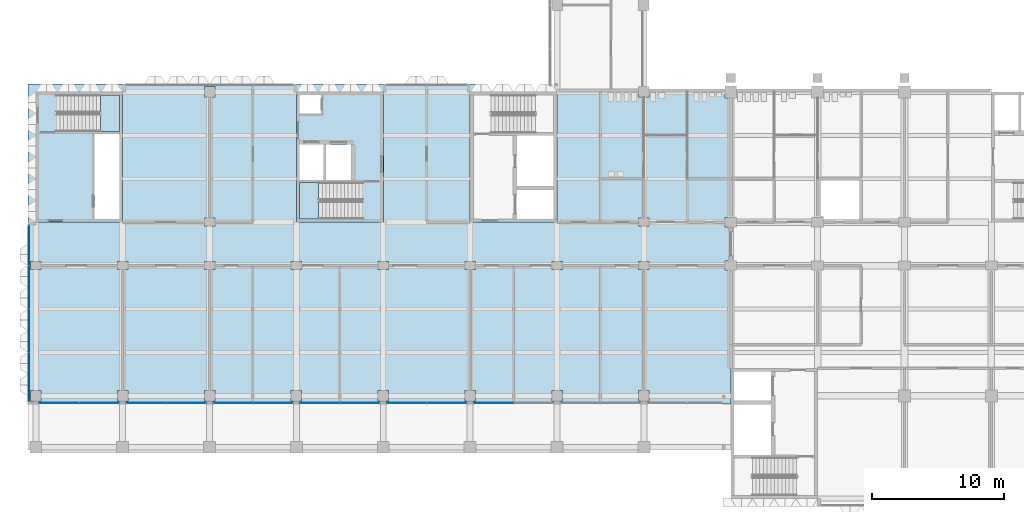
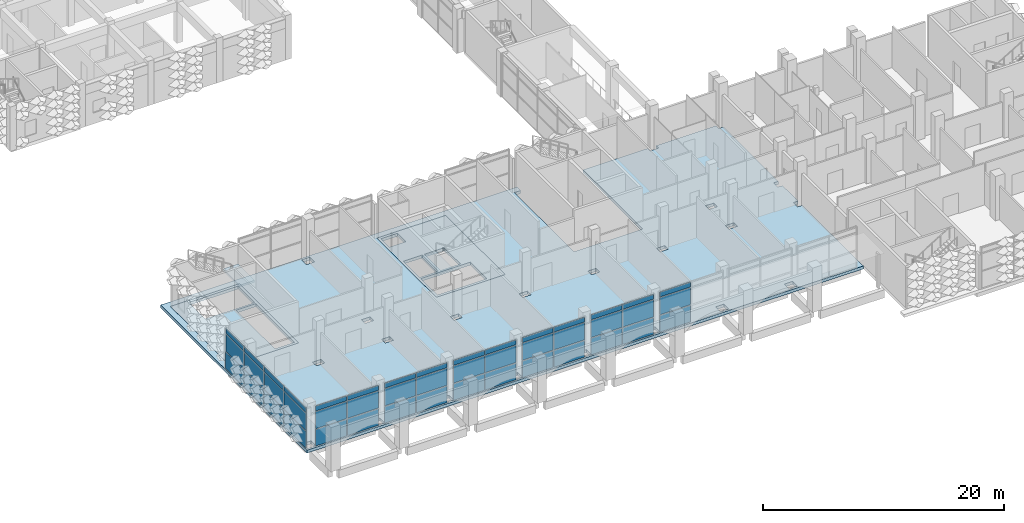
# One storey, part 21 of 87: 45 plates, 5 slabs, 9 elements without a shape of their own.
"""IFC4 building model written with IfcOpenShell, lengths in metres."""

from ifc_helpers import new_model, si_unit, direction, frame, origin, origin_2d, place, context, subcontext, project, spatial, polyline, rectangle, outline, extrude, material, layer, layer_set, type_object, element, aggregate, save


model = new_model("IFC4")

# Units and contexts
model_context = context("Model", 3, precision=1e-05, world=origin(), true_north=direction((0.0, 1.0)))
body_context = subcontext(model_context, "Body", "Model", "MODEL_VIEW")
ifc_project = project(units=[si_unit("LENGTHUNIT", "METRE"), si_unit("AREAUNIT", "SQUARE_METRE"), si_unit("VOLUMEUNIT", "CUBIC_METRE"), si_unit("PLANEANGLEUNIT", "RADIAN"), si_unit("MASSUNIT", "GRAM", prefix="KILO")], contexts=[model_context])

# Site, building, storey
site_placement = place(None, origin())
site = spatial("IfcSite", under=ifc_project, at=site_placement, CompositionType="ELEMENT")
building_placement = place(site_placement, origin())
building = spatial("IfcBuilding", under=site, at=building_placement, Name="Lantern Court Research Institute", CompositionType="ELEMENT")
storey_placement = place(building_placement, frame((0.0, 0.0, 5.39990234375)))
storey = spatial("IfcBuildingStorey", under=building, at=storey_placement, Name="L01", CompositionType="ELEMENT", Elevation=5.39990234375)

# Curtain wall, plates
ifc_material_1 = material(Name="Aluminium alloy 6063-T6", Category="aluminium")
curtain_wall_type_1 = type_object("IfcCurtainWallType", Name="Curtain wall 6175 x 4200 x 150 aluminium frame", PredefinedType="NOTDEFINED", material=ifc_material_1)
curtain_wall_1_placement = place(storey_placement, origin())
curtain_wall_1 = element("IfcCurtainWall", 1, at=curtain_wall_1_placement, inside=storey, type_object=curtain_wall_type_1, Name="Curtain wall CW023", PredefinedType="NOTDEFINED")
ifc_material_2 = material(Name="Laminated low-emissivity glass", Category="glass")
ifc_layer_1 = layer(ifc_material_2, 0.0439453125)
ifc_layer_set_1 = layer_set([ifc_layer_1], Name="Laminated low-emissivity glass")
plate_type_1 = type_object("IfcPlateType", Name="Acoustic laminated unit 44 mm over the arcade", PredefinedType="CURTAIN_PANEL", material=ifc_layer_set_1)
plate_1_placement = place(storey_placement, frame((1.77001953125, -0.52490234375, 0.080078125), z_axis=(0.0, 0.0, 1.0), x_axis=(-1.0, 0.0, 0.0)))
plate_1 = element("IfcPlate", 2, at=plate_1_placement, type_object=plate_type_1, Name="CW023 glazed panel 1.1", PredefinedType="CURTAIN_PANEL", context=body_context, shape_type="SweptSolid", body=[
    extrude(rectangle(XDim=2.97998046875, YDim=0.0439453125, at=origin_2d()), origin(), (0.0, 0.0, 1.0), 1.679931640625),
])
plate_2_placement = place(storey_placement, frame((1.77001953125, -0.52490234375, 1.84033203125), z_axis=(0.0, 0.0, 1.0), x_axis=(-1.0, 0.0, 0.0)))
plate_2 = element("IfcPlate", 3, at=plate_2_placement, type_object=plate_type_1, Name="CW023 glazed panel 1.2", PredefinedType="CURTAIN_PANEL", context=body_context, shape_type="SweptSolid", body=[
    extrude(rectangle(XDim=2.97998046875, YDim=0.0439453125, at=origin_2d()), origin(), (0.0, 0.0, 1.0), 1.719970703125),
])
plate_3_placement = place(storey_placement, frame((1.77001953125, -0.52490234375, 3.64013671875), z_axis=(0.0, 0.0, 1.0), x_axis=(-1.0, 0.0, 0.0)))
plate_3 = element("IfcPlate", 4, at=plate_3_placement, type_object=plate_type_1, Name="CW023 glazed panel 1.3", PredefinedType="CURTAIN_PANEL", context=body_context, shape_type="SweptSolid", body=[
    extrude(rectangle(XDim=2.97998046875, YDim=0.0439453125, at=origin_2d()), origin(), (0.0, 0.0, 1.0), 0.47998046875),
])
plate_4_placement = place(storey_placement, frame((4.8173828125, -0.52490234375, 0.080078125), z_axis=(0.0, 0.0, 1.0), x_axis=(-1.0, 0.0, 0.0)))
plate_4 = element("IfcPlate", 5, at=plate_4_placement, type_object=plate_type_1, Name="CW023 glazed panel 2.1", PredefinedType="CURTAIN_PANEL", context=body_context, shape_type="SweptSolid", body=[
    extrude(rectangle(XDim=2.955078125, YDim=0.0439453125, at=origin_2d()), origin(), (0.0, 0.0, 1.0), 1.679931640625),
])
plate_5_placement = place(storey_placement, frame((4.8173828125, -0.52490234375, 1.84033203125), z_axis=(0.0, 0.0, 1.0), x_axis=(-1.0, 0.0, 0.0)))
plate_5 = element("IfcPlate", 6, at=plate_5_placement, type_object=plate_type_1, Name="CW023 glazed panel 2.2", PredefinedType="CURTAIN_PANEL", context=body_context, shape_type="SweptSolid", body=[
    extrude(rectangle(XDim=2.955078125, YDim=0.0439453125, at=origin_2d()), origin(), (0.0, 0.0, 1.0), 1.719970703125),
])
plate_6_placement = place(storey_placement, frame((4.8173828125, -0.52490234375, 3.64013671875), z_axis=(0.0, 0.0, 1.0), x_axis=(-1.0, 0.0, 0.0)))
plate_6 = element("IfcPlate", 7, at=plate_6_placement, type_object=plate_type_1, Name="CW023 glazed panel 2.3", PredefinedType="CURTAIN_PANEL", context=body_context, shape_type="SweptSolid", body=[
    extrude(rectangle(XDim=2.955078125, YDim=0.0439453125, at=origin_2d()), origin(), (0.0, 0.0, 1.0), 0.47998046875),
])
aggregate(curtain_wall_1, [plate_1, plate_2, plate_3, plate_4, plate_5, plate_6])

ifc_material_3 = material(Name="Aluminium alloy 6063-T6", Category="aluminium")
curtain_wall_type_2 = type_object("IfcCurtainWallType", Name="Curtain wall 6150 x 4200 x 150 aluminium frame", PredefinedType="NOTDEFINED", material=ifc_material_3)
curtain_wall_2_placement = place(storey_placement, origin())
curtain_wall_2 = element("IfcCurtainWall", 8, at=curtain_wall_2_placement, inside=storey, type_object=curtain_wall_type_2, Name="Curtain wall CW024", PredefinedType="NOTDEFINED")
plate_7_placement = place(storey_placement, frame((8.382568359375, -0.52490234375, 0.080078125), z_axis=(0.0, 0.0, 1.0), x_axis=(-1.0, 0.0, 0.0)))
plate_7 = element("IfcPlate", 9, at=plate_7_placement, type_object=plate_type_1, Name="CW024 glazed panel 1.1", PredefinedType="CURTAIN_PANEL", context=body_context, shape_type="SweptSolid", body=[
    extrude(rectangle(XDim=2.955078125, YDim=0.0439453125, at=origin_2d()), origin(), (0.0, 0.0, 1.0), 1.679931640625),
])
plate_8_placement = place(storey_placement, frame((8.382568359375, -0.52490234375, 1.84033203125), z_axis=(0.0, 0.0, 1.0), x_axis=(-1.0, 0.0, 0.0)))
plate_8 = element("IfcPlate", 10, at=plate_8_placement, type_object=plate_type_1, Name="CW024 glazed panel 1.2", PredefinedType="CURTAIN_PANEL", context=body_context, shape_type="SweptSolid", body=[
    extrude(rectangle(XDim=2.955078125, YDim=0.0439453125, at=origin_2d()), origin(), (0.0, 0.0, 1.0), 1.719970703125),
])
plate_9_placement = place(storey_placement, frame((8.382568359375, -0.52490234375, 3.64013671875), z_axis=(0.0, 0.0, 1.0), x_axis=(-1.0, 0.0, 0.0)))
plate_9 = element("IfcPlate", 11, at=plate_9_placement, type_object=plate_type_1, Name="CW024 glazed panel 1.3", PredefinedType="CURTAIN_PANEL", context=body_context, shape_type="SweptSolid", body=[
    extrude(rectangle(XDim=2.955078125, YDim=0.0439453125, at=origin_2d()), origin(), (0.0, 0.0, 1.0), 0.47998046875),
])
plate_10_placement = place(storey_placement, frame((11.41748046875, -0.52490234375, 0.080078125), z_axis=(0.0, 0.0, 1.0), x_axis=(-1.0, 0.0, 0.0)))
plate_10 = element("IfcPlate", 12, at=plate_10_placement, type_object=plate_type_1, Name="CW024 glazed panel 2.1", PredefinedType="CURTAIN_PANEL", context=body_context, shape_type="SweptSolid", body=[
    extrude(rectangle(XDim=2.955078125, YDim=0.0439453125, at=origin_2d()), origin(), (0.0, 0.0, 1.0), 1.679931640625),
])
plate_11_placement = place(storey_placement, frame((11.41748046875, -0.52490234375, 1.84033203125), z_axis=(0.0, 0.0, 1.0), x_axis=(-1.0, 0.0, 0.0)))
plate_11 = element("IfcPlate", 13, at=plate_11_placement, type_object=plate_type_1, Name="CW024 glazed panel 2.2", PredefinedType="CURTAIN_PANEL", context=body_context, shape_type="SweptSolid", body=[
    extrude(rectangle(XDim=2.955078125, YDim=0.0439453125, at=origin_2d()), origin(), (0.0, 0.0, 1.0), 1.719970703125),
])
plate_12_placement = place(storey_placement, frame((11.41748046875, -0.52490234375, 3.64013671875), z_axis=(0.0, 0.0, 1.0), x_axis=(-1.0, 0.0, 0.0)))
plate_12 = element("IfcPlate", 14, at=plate_12_placement, type_object=plate_type_1, Name="CW024 glazed panel 2.3", PredefinedType="CURTAIN_PANEL", context=body_context, shape_type="SweptSolid", body=[
    extrude(rectangle(XDim=2.955078125, YDim=0.0439453125, at=origin_2d()), origin(), (0.0, 0.0, 1.0), 0.47998046875),
])
aggregate(curtain_wall_2, [plate_7, plate_8, plate_9, plate_10, plate_11, plate_12])

curtain_wall_3_placement = place(storey_placement, origin())
curtain_wall_3 = element("IfcCurtainWall", 15, at=curtain_wall_3_placement, inside=storey, type_object=curtain_wall_type_2, Name="Curtain wall CW025", PredefinedType="NOTDEFINED")
plate_13_placement = place(storey_placement, frame((14.982421875, -0.52490234375, 0.080078125), z_axis=(0.0, 0.0, 1.0), x_axis=(-1.0, 0.0, 0.0)))
plate_13 = element("IfcPlate", 16, at=plate_13_placement, type_object=plate_type_1, Name="CW025 glazed panel 1.1", PredefinedType="CURTAIN_PANEL", context=body_context, shape_type="SweptSolid", body=[
    extrude(rectangle(XDim=2.955078125, YDim=0.0439453125, at=origin_2d()), origin(), (0.0, 0.0, 1.0), 1.679931640625),
])
plate_14_placement = place(storey_placement, frame((14.982421875, -0.52490234375, 1.84033203125), z_axis=(0.0, 0.0, 1.0), x_axis=(-1.0, 0.0, 0.0)))
plate_14 = element("IfcPlate", 17, at=plate_14_placement, type_object=plate_type_1, Name="CW025 glazed panel 1.2", PredefinedType="CURTAIN_PANEL", context=body_context, shape_type="SweptSolid", body=[
    extrude(rectangle(XDim=2.955078125, YDim=0.0439453125, at=origin_2d()), origin(), (0.0, 0.0, 1.0), 1.719970703125),
])
plate_15_placement = place(storey_placement, frame((14.982421875, -0.52490234375, 3.64013671875), z_axis=(0.0, 0.0, 1.0), x_axis=(-1.0, 0.0, 0.0)))
plate_15 = element("IfcPlate", 18, at=plate_15_placement, type_object=plate_type_1, Name="CW025 glazed panel 1.3", PredefinedType="CURTAIN_PANEL", context=body_context, shape_type="SweptSolid", body=[
    extrude(rectangle(XDim=2.955078125, YDim=0.0439453125, at=origin_2d()), origin(), (0.0, 0.0, 1.0), 0.47998046875),
])
plate_16_placement = place(storey_placement, frame((18.017578125, -0.52490234375, 0.080078125), z_axis=(0.0, 0.0, 1.0), x_axis=(-1.0, 0.0, 0.0)))
plate_16 = element("IfcPlate", 19, at=plate_16_placement, type_object=plate_type_1, Name="CW025 glazed panel 2.1", PredefinedType="CURTAIN_PANEL", context=body_context, shape_type="SweptSolid", body=[
    extrude(rectangle(XDim=2.955078125, YDim=0.0439453125, at=origin_2d()), origin(), (0.0, 0.0, 1.0), 1.679931640625),
])
plate_17_placement = place(storey_placement, frame((18.017578125, -0.52490234375, 1.84033203125), z_axis=(0.0, 0.0, 1.0), x_axis=(-1.0, 0.0, 0.0)))
plate_17 = element("IfcPlate", 20, at=plate_17_placement, type_object=plate_type_1, Name="CW025 glazed panel 2.2", PredefinedType="CURTAIN_PANEL", context=body_context, shape_type="SweptSolid", body=[
    extrude(rectangle(XDim=2.955078125, YDim=0.0439453125, at=origin_2d()), origin(), (0.0, 0.0, 1.0), 1.719970703125),
])
plate_18_placement = place(storey_placement, frame((18.017578125, -0.52490234375, 3.64013671875), z_axis=(0.0, 0.0, 1.0), x_axis=(-1.0, 0.0, 0.0)))
plate_18 = element("IfcPlate", 21, at=plate_18_placement, type_object=plate_type_1, Name="CW025 glazed panel 2.3", PredefinedType="CURTAIN_PANEL", context=body_context, shape_type="SweptSolid", body=[
    extrude(rectangle(XDim=2.955078125, YDim=0.0439453125, at=origin_2d()), origin(), (0.0, 0.0, 1.0), 0.47998046875),
])
aggregate(curtain_wall_3, [plate_13, plate_14, plate_15, plate_16, plate_17, plate_18])

curtain_wall_4_placement = place(storey_placement, origin())
curtain_wall_4 = element("IfcCurtainWall", 22, at=curtain_wall_4_placement, inside=storey, type_object=curtain_wall_type_2, Name="Curtain wall CW026", PredefinedType="NOTDEFINED")
plate_19_placement = place(storey_placement, frame((21.58251953125, -0.52490234375, 0.080078125), z_axis=(0.0, 0.0, 1.0), x_axis=(-1.0, 0.0, 0.0)))
plate_19 = element("IfcPlate", 23, at=plate_19_placement, type_object=plate_type_1, Name="CW026 glazed panel 1.1", PredefinedType="CURTAIN_PANEL", context=body_context, shape_type="SweptSolid", body=[
    extrude(rectangle(XDim=2.955078125, YDim=0.0439453125, at=origin_2d()), origin(), (0.0, 0.0, 1.0), 1.679931640625),
])
plate_20_placement = place(storey_placement, frame((21.58251953125, -0.52490234375, 1.84033203125), z_axis=(0.0, 0.0, 1.0), x_axis=(-1.0, 0.0, 0.0)))
plate_20 = element("IfcPlate", 24, at=plate_20_placement, type_object=plate_type_1, Name="CW026 glazed panel 1.2", PredefinedType="CURTAIN_PANEL", context=body_context, shape_type="SweptSolid", body=[
    extrude(rectangle(XDim=2.955078125, YDim=0.0439453125, at=origin_2d()), origin(), (0.0, 0.0, 1.0), 1.719970703125),
])
plate_21_placement = place(storey_placement, frame((21.58251953125, -0.52490234375, 3.64013671875), z_axis=(0.0, 0.0, 1.0), x_axis=(-1.0, 0.0, 0.0)))
plate_21 = element("IfcPlate", 25, at=plate_21_placement, type_object=plate_type_1, Name="CW026 glazed panel 1.3", PredefinedType="CURTAIN_PANEL", context=body_context, shape_type="SweptSolid", body=[
    extrude(rectangle(XDim=2.955078125, YDim=0.0439453125, at=origin_2d()), origin(), (0.0, 0.0, 1.0), 0.47998046875),
])
plate_22_placement = place(storey_placement, frame((24.617431640625, -0.52490234375, 0.080078125), z_axis=(0.0, 0.0, 1.0), x_axis=(-1.0, 0.0, 0.0)))
plate_22 = element("IfcPlate", 26, at=plate_22_placement, type_object=plate_type_1, Name="CW026 glazed panel 2.1", PredefinedType="CURTAIN_PANEL", context=body_context, shape_type="SweptSolid", body=[
    extrude(rectangle(XDim=2.955078125, YDim=0.0439453125, at=origin_2d()), origin(), (0.0, 0.0, 1.0), 1.679931640625),
])
plate_23_placement = place(storey_placement, frame((24.617431640625, -0.52490234375, 1.84033203125), z_axis=(0.0, 0.0, 1.0), x_axis=(-1.0, 0.0, 0.0)))
plate_23 = element("IfcPlate", 27, at=plate_23_placement, type_object=plate_type_1, Name="CW026 glazed panel 2.2", PredefinedType="CURTAIN_PANEL", context=body_context, shape_type="SweptSolid", body=[
    extrude(rectangle(XDim=2.955078125, YDim=0.0439453125, at=origin_2d()), origin(), (0.0, 0.0, 1.0), 1.719970703125),
])
plate_24_placement = place(storey_placement, frame((24.617431640625, -0.52490234375, 3.64013671875), z_axis=(0.0, 0.0, 1.0), x_axis=(-1.0, 0.0, 0.0)))
plate_24 = element("IfcPlate", 28, at=plate_24_placement, type_object=plate_type_1, Name="CW026 glazed panel 2.3", PredefinedType="CURTAIN_PANEL", context=body_context, shape_type="SweptSolid", body=[
    extrude(rectangle(XDim=2.955078125, YDim=0.0439453125, at=origin_2d()), origin(), (0.0, 0.0, 1.0), 0.47998046875),
])
aggregate(curtain_wall_4, [plate_19, plate_20, plate_21, plate_22, plate_23, plate_24])

curtain_wall_5_placement = place(storey_placement, origin())
curtain_wall_5 = element("IfcCurtainWall", 29, at=curtain_wall_5_placement, inside=storey, type_object=curtain_wall_type_2, Name="Curtain wall CW027", PredefinedType="NOTDEFINED")
plate_25_placement = place(storey_placement, frame((28.1826171875, -0.52490234375, 0.080078125), z_axis=(0.0, 0.0, 1.0), x_axis=(-1.0, 0.0, 0.0)))
plate_25 = element("IfcPlate", 30, at=plate_25_placement, type_object=plate_type_1, Name="CW027 glazed panel 1.1", PredefinedType="CURTAIN_PANEL", context=body_context, shape_type="SweptSolid", body=[
    extrude(rectangle(XDim=2.955078125, YDim=0.0439453125, at=origin_2d()), origin(), (0.0, 0.0, 1.0), 1.679931640625),
])
plate_26_placement = place(storey_placement, frame((28.1826171875, -0.52490234375, 1.84033203125), z_axis=(0.0, 0.0, 1.0), x_axis=(-1.0, 0.0, 0.0)))
plate_26 = element("IfcPlate", 31, at=plate_26_placement, type_object=plate_type_1, Name="CW027 glazed panel 1.2", PredefinedType="CURTAIN_PANEL", context=body_context, shape_type="SweptSolid", body=[
    extrude(rectangle(XDim=2.955078125, YDim=0.0439453125, at=origin_2d()), origin(), (0.0, 0.0, 1.0), 1.719970703125),
])
plate_27_placement = place(storey_placement, frame((28.1826171875, -0.52490234375, 3.64013671875), z_axis=(0.0, 0.0, 1.0), x_axis=(-1.0, 0.0, 0.0)))
plate_27 = element("IfcPlate", 32, at=plate_27_placement, type_object=plate_type_1, Name="CW027 glazed panel 1.3", PredefinedType="CURTAIN_PANEL", context=body_context, shape_type="SweptSolid", body=[
    extrude(rectangle(XDim=2.955078125, YDim=0.0439453125, at=origin_2d()), origin(), (0.0, 0.0, 1.0), 0.47998046875),
])
plate_28_placement = place(storey_placement, frame((31.217529296875, -0.52490234375, 0.080078125), z_axis=(0.0, 0.0, 1.0), x_axis=(-1.0, 0.0, 0.0)))
plate_28 = element("IfcPlate", 33, at=plate_28_placement, type_object=plate_type_1, Name="CW027 glazed panel 2.1", PredefinedType="CURTAIN_PANEL", context=body_context, shape_type="SweptSolid", body=[
    extrude(rectangle(XDim=2.955078125, YDim=0.0439453125, at=origin_2d()), origin(), (0.0, 0.0, 1.0), 1.679931640625),
])
plate_29_placement = place(storey_placement, frame((31.217529296875, -0.52490234375, 1.84033203125), z_axis=(0.0, 0.0, 1.0), x_axis=(-1.0, 0.0, 0.0)))
plate_29 = element("IfcPlate", 34, at=plate_29_placement, type_object=plate_type_1, Name="CW027 glazed panel 2.2", PredefinedType="CURTAIN_PANEL", context=body_context, shape_type="SweptSolid", body=[
    extrude(rectangle(XDim=2.955078125, YDim=0.0439453125, at=origin_2d()), origin(), (0.0, 0.0, 1.0), 1.719970703125),
])
plate_30_placement = place(storey_placement, frame((31.217529296875, -0.52490234375, 3.64013671875), z_axis=(0.0, 0.0, 1.0), x_axis=(-1.0, 0.0, 0.0)))
plate_30 = element("IfcPlate", 35, at=plate_30_placement, type_object=plate_type_1, Name="CW027 glazed panel 2.3", PredefinedType="CURTAIN_PANEL", context=body_context, shape_type="SweptSolid", body=[
    extrude(rectangle(XDim=2.955078125, YDim=0.0439453125, at=origin_2d()), origin(), (0.0, 0.0, 1.0), 0.47998046875),
])
aggregate(curtain_wall_5, [plate_25, plate_26, plate_27, plate_28, plate_29, plate_30])

curtain_wall_6_placement = place(storey_placement, origin())
curtain_wall_6 = element("IfcCurtainWall", 36, at=curtain_wall_6_placement, inside=storey, type_object=curtain_wall_type_2, Name="Curtain wall CW028", PredefinedType="NOTDEFINED")
plate_31_placement = place(storey_placement, frame((34.782470703125, -0.52490234375, 0.080078125), z_axis=(0.0, 0.0, 1.0), x_axis=(-1.0, 0.0, 0.0)))
plate_31 = element("IfcPlate", 37, at=plate_31_placement, type_object=plate_type_1, Name="CW028 glazed panel 1.1", PredefinedType="CURTAIN_PANEL", context=body_context, shape_type="SweptSolid", body=[
    extrude(rectangle(XDim=2.955078125, YDim=0.0439453125, at=origin_2d()), origin(), (0.0, 0.0, 1.0), 1.679931640625),
])
plate_32_placement = place(storey_placement, frame((34.782470703125, -0.52490234375, 1.84033203125), z_axis=(0.0, 0.0, 1.0), x_axis=(-1.0, 0.0, 0.0)))
plate_32 = element("IfcPlate", 38, at=plate_32_placement, type_object=plate_type_1, Name="CW028 glazed panel 1.2", PredefinedType="CURTAIN_PANEL", context=body_context, shape_type="SweptSolid", body=[
    extrude(rectangle(XDim=2.955078125, YDim=0.0439453125, at=origin_2d()), origin(), (0.0, 0.0, 1.0), 1.719970703125),
])
plate_33_placement = place(storey_placement, frame((34.782470703125, -0.52490234375, 3.64013671875), z_axis=(0.0, 0.0, 1.0), x_axis=(-1.0, 0.0, 0.0)))
plate_33 = element("IfcPlate", 39, at=plate_33_placement, type_object=plate_type_1, Name="CW028 glazed panel 1.3", PredefinedType="CURTAIN_PANEL", context=body_context, shape_type="SweptSolid", body=[
    extrude(rectangle(XDim=2.955078125, YDim=0.0439453125, at=origin_2d()), origin(), (0.0, 0.0, 1.0), 0.47998046875),
])
aggregate(curtain_wall_6, [plate_31, plate_32, plate_33])

ifc_material_4 = material(Name="Aluminium alloy 6063-T6", Category="aluminium")
curtain_wall_type_3 = type_object("IfcCurtainWallType", Name="Curtain wall 13450 x 4200 x 150 aluminium frame", PredefinedType="NOTDEFINED", material=ifc_material_4)
curtain_wall_7_placement = place(storey_placement, origin())
curtain_wall_7 = element("IfcCurtainWall", 40, at=curtain_wall_7_placement, inside=storey, type_object=curtain_wall_type_3, Name="Curtain wall CW031", PredefinedType="NOTDEFINED")
ifc_material_5 = material(Name="Insulated aluminium spandrel panel", Category="aluminium")
ifc_layer_2 = layer(ifc_material_5, 0.080078125)
ifc_layer_set_2 = layer_set([ifc_layer_2], Name="Insulated aluminium spandrel panel")
plate_type_2 = type_object("IfcPlateType", Name="Insulated spandrel panel 80 mm", PredefinedType="CURTAIN_PANEL", material=ifc_layer_set_2)
plate_34_placement = place(storey_placement, frame((-0.52490234375, 1.43994140625, 0.06005859375), z_axis=(0.0, 0.0, 1.0), x_axis=(0.0, 1.0, 0.0)))
plate_34 = element("IfcPlate", 41, at=plate_34_placement, type_object=plate_type_2, Name="CW031 spandrel panel 1.1", PredefinedType="CURTAIN_PANEL", context=body_context, shape_type="SweptSolid", body=[
    extrude(rectangle(XDim=3.659912109375, YDim=0.080078125, at=origin_2d()), origin(), (0.0, 0.0, 1.0), 1.7099609375),
])
plate_35_placement = place(storey_placement, frame((-0.52490234375, 4.949951171875, 0.06005859375), z_axis=(0.0, 0.0, 1.0), x_axis=(0.0, 1.0, 0.0)))
plate_35 = element("IfcPlate", 42, at=plate_35_placement, type_object=plate_type_2, Name="CW031 spandrel panel 2.1", PredefinedType="CURTAIN_PANEL", context=body_context, shape_type="SweptSolid", body=[
    extrude(rectangle(XDim=3.239990234375, YDim=0.080078125, at=origin_2d()), origin(), (0.0, 0.0, 1.0), 1.7099609375),
])
plate_36_placement = place(storey_placement, frame((-0.52490234375, 8.25, 0.06005859375), z_axis=(0.0, 0.0, 1.0), x_axis=(0.0, 1.0, 0.0)))
plate_36 = element("IfcPlate", 43, at=plate_36_placement, type_object=plate_type_2, Name="CW031 spandrel panel 3.1", PredefinedType="CURTAIN_PANEL", context=body_context, shape_type="SweptSolid", body=[
    extrude(rectangle(XDim=3.239990234375, YDim=0.080078125, at=origin_2d()), origin(), (0.0, 0.0, 1.0), 1.7099609375),
])
plate_37_placement = place(storey_placement, frame((-0.52490234375, 11.43505859375, 0.06005859375), z_axis=(0.0, 0.0, 1.0), x_axis=(0.0, 1.0, 0.0)))
plate_37 = element("IfcPlate", 44, at=plate_37_placement, type_object=plate_type_2, Name="CW031 spandrel panel 4.1", PredefinedType="CURTAIN_PANEL", context=body_context, shape_type="SweptSolid", body=[
    extrude(rectangle(XDim=3.010009765625, YDim=0.080078125, at=origin_2d()), origin(), (0.0, 0.0, 1.0), 1.7099609375),
])
ifc_material_6 = material(Name="Laminated low-emissivity glass", Category="glass")
ifc_layer_3 = layer(ifc_material_6, 0.031982421875)
ifc_layer_set_3 = layer_set([ifc_layer_3], Name="Laminated low-emissivity glass")
plate_type_3 = type_object("IfcPlateType", Name="Laminated low-emissivity unit 32 mm", PredefinedType="CURTAIN_PANEL", material=ifc_layer_set_3)
plate_38_placement = place(storey_placement, frame((-0.52490234375, 1.43994140625, 1.830078125), z_axis=(0.0, 0.0, 1.0), x_axis=(0.0, 1.0, 0.0)))
plate_38 = element("IfcPlate", 45, at=plate_38_placement, type_object=plate_type_3, Name="CW031 glazed panel 1.2", PredefinedType="CURTAIN_PANEL", context=body_context, shape_type="SweptSolid", body=[
    extrude(rectangle(XDim=3.659912109375, YDim=0.031982421875, at=origin_2d()), origin(), (0.0, 0.0, 1.0), 1.739990234375),
])
plate_39_placement = place(storey_placement, frame((-0.52490234375, 1.43994140625, 3.6298828125), z_axis=(0.0, 0.0, 1.0), x_axis=(0.0, 1.0, 0.0)))
plate_39 = element("IfcPlate", 46, at=plate_39_placement, type_object=plate_type_3, Name="CW031 glazed panel 1.3", PredefinedType="CURTAIN_PANEL", context=body_context, shape_type="SweptSolid", body=[
    extrude(rectangle(XDim=3.659912109375, YDim=0.031982421875, at=origin_2d()), origin(), (0.0, 0.0, 1.0), 0.510009765625),
])
plate_40_placement = place(storey_placement, frame((-0.52490234375, 4.949951171875, 1.830078125), z_axis=(0.0, 0.0, 1.0), x_axis=(0.0, 1.0, 0.0)))
plate_40 = element("IfcPlate", 47, at=plate_40_placement, type_object=plate_type_3, Name="CW031 glazed panel 2.2", PredefinedType="CURTAIN_PANEL", context=body_context, shape_type="SweptSolid", body=[
    extrude(rectangle(XDim=3.239990234375, YDim=0.031982421875, at=origin_2d()), origin(), (0.0, 0.0, 1.0), 1.739990234375),
])
plate_41_placement = place(storey_placement, frame((-0.52490234375, 4.949951171875, 3.6298828125), z_axis=(0.0, 0.0, 1.0), x_axis=(0.0, 1.0, 0.0)))
plate_41 = element("IfcPlate", 48, at=plate_41_placement, type_object=plate_type_3, Name="CW031 glazed panel 2.3", PredefinedType="CURTAIN_PANEL", context=body_context, shape_type="SweptSolid", body=[
    extrude(rectangle(XDim=3.239990234375, YDim=0.031982421875, at=origin_2d()), origin(), (0.0, 0.0, 1.0), 0.510009765625),
])
plate_42_placement = place(storey_placement, frame((-0.52490234375, 8.25, 1.830078125), z_axis=(0.0, 0.0, 1.0), x_axis=(0.0, 1.0, 0.0)))
plate_42 = element("IfcPlate", 49, at=plate_42_placement, type_object=plate_type_3, Name="CW031 glazed panel 3.2", PredefinedType="CURTAIN_PANEL", context=body_context, shape_type="SweptSolid", body=[
    extrude(rectangle(XDim=3.239990234375, YDim=0.031982421875, at=origin_2d()), origin(), (0.0, 0.0, 1.0), 1.739990234375),
])
plate_43_placement = place(storey_placement, frame((-0.52490234375, 8.25, 3.6298828125), z_axis=(0.0, 0.0, 1.0), x_axis=(0.0, 1.0, 0.0)))
plate_43 = element("IfcPlate", 50, at=plate_43_placement, type_object=plate_type_3, Name="CW031 glazed panel 3.3", PredefinedType="CURTAIN_PANEL", context=body_context, shape_type="SweptSolid", body=[
    extrude(rectangle(XDim=3.239990234375, YDim=0.031982421875, at=origin_2d()), origin(), (0.0, 0.0, 1.0), 0.510009765625),
])
plate_44_placement = place(storey_placement, frame((-0.52490234375, 11.43505859375, 1.830078125), z_axis=(0.0, 0.0, 1.0), x_axis=(0.0, 1.0, 0.0)))
plate_44 = element("IfcPlate", 51, at=plate_44_placement, type_object=plate_type_3, Name="CW031 glazed panel 4.2", PredefinedType="CURTAIN_PANEL", context=body_context, shape_type="SweptSolid", body=[
    extrude(rectangle(XDim=3.010009765625, YDim=0.031982421875, at=origin_2d()), origin(), (0.0, 0.0, 1.0), 1.739990234375),
])
plate_45_placement = place(storey_placement, frame((-0.52490234375, 11.43505859375, 3.6298828125), z_axis=(0.0, 0.0, 1.0), x_axis=(0.0, 1.0, 0.0)))
plate_45 = element("IfcPlate", 52, at=plate_45_placement, type_object=plate_type_3, Name="CW031 glazed panel 4.3", PredefinedType="CURTAIN_PANEL", context=body_context, shape_type="SweptSolid", body=[
    extrude(rectangle(XDim=3.010009765625, YDim=0.031982421875, at=origin_2d()), origin(), (0.0, 0.0, 1.0), 0.510009765625),
])
aggregate(curtain_wall_7, [plate_34, plate_38, plate_39, plate_35, plate_40, plate_41, plate_36, plate_42, plate_43, plate_37, plate_44, plate_45])

# Slabs
ifc_material_7 = material(Name="Concrete C35/45", Category="concrete")
ifc_layer_4 = layer(ifc_material_7, 0.300048828125)
ifc_layer_set_4 = layer_set([ifc_layer_4], Name="Concrete C35/45")
slab_type_1 = type_object("IfcSlabType", Name="RC core floor slab 300", PredefinedType="FLOOR", material=ifc_layer_set_4)
slab_1_placement = place(storey_placement, frame((0.0, 0.0, -0.2998046875)))
element("IfcSlab", 53, at=slab_1_placement, inside=storey, type_object=slab_type_1, Name="Floor of core BC-W", PredefinedType="FLOOR", context=body_context, shape_type="SweptSolid", body=[
    extrude(outline(polyline([(0.0, 13.199951171875), (6.60009765625, 13.199951171875), (6.60009765625, 23.10009765625), (0.0, 23.10009765625), (0.0, 13.199951171875)]), holes=[polyline([(1.60009765625, 20.10009765625), (6.35009765625, 20.10009765625), (6.35009765625, 22.85009765625), (1.60009765625, 22.85009765625), (1.60009765625, 20.10009765625)]), polyline([(4.449951171875, 13.449951171875), (4.449951171875, 19.89990234375), (6.35009765625, 19.89990234375), (6.35009765625, 13.449951171875), (4.449951171875, 13.449951171875)])]), origin(), (0.0, 0.0, 1.0), 0.2998046875),
])
slab_2_placement = place(storey_placement, frame((0.0, 0.0, -0.2998046875)))
element("IfcSlab", 54, at=slab_2_placement, inside=storey, type_object=slab_type_1, Name="Floor of core BC-M", PredefinedType="FLOOR", context=body_context, shape_type="SweptSolid", body=[
    extrude(outline(polyline([(19.800048828125, 13.199951171875), (26.39990234375, 13.199951171875), (26.39990234375, 23.10009765625), (19.800048828125, 23.10009765625), (19.800048828125, 13.199951171875)]), holes=[polyline([(24.800048828125, 16.199951171875), (20.050048828125, 16.199951171875), (20.050048828125, 13.449951171875), (24.800048828125, 13.449951171875), (24.800048828125, 16.199951171875)]), polyline([(20.050048828125, 16.39990234375), (21.85009765625, 16.39990234375), (21.85009765625, 19.10009765625), (20.050048828125, 19.10009765625), (20.050048828125, 16.39990234375)]), polyline([(22.050048828125, 16.39990234375), (23.949951171875, 16.39990234375), (23.949951171875, 19.10009765625), (22.050048828125, 19.10009765625), (22.050048828125, 16.39990234375)]), polyline([(21.64990234375, 21.449951171875), (20.050048828125, 21.449951171875), (20.050048828125, 22.85009765625), (21.64990234375, 22.85009765625), (21.64990234375, 21.449951171875)])]), origin(), (0.0, 0.0, 1.0), 0.2998046875),
])
ifc_material_8 = material(Name="Concrete C35/45", Category="concrete")
ifc_layer_5 = layer(ifc_material_8, 0.300048828125)
ifc_layer_set_5 = layer_set([ifc_layer_5], Name="Concrete C35/45")
slab_type_2 = type_object("IfcSlabType", Name="RC floor slab 300", PredefinedType="FLOOR", material=ifc_layer_set_5)
slab_3_placement = place(storey_placement, frame((0.0, 0.0, -0.2998046875)))
element("IfcSlab", 55, at=slab_3_placement, inside=storey, type_object=slab_type_2, Name="Floor slab L01 Wet Laboratory Wing", PredefinedType="FLOOR", context=body_context, shape_type="SweptSolid", body=[
    extrude(outline(polyline([(-0.60009765625, 0.0), (-0.60009765625, -0.60009765625), (52.800048828125, -0.60009765625), (52.800048828125, 0.0), (52.800048828125, 2.10009765625), (52.800048828125, 9.550048828125), (52.35009765625, 9.550048828125), (52.35009765625, 10.25), (52.800048828125, 10.25), (52.800048828125, 12.85009765625), (52.35009765625, 12.85009765625), (52.35009765625, 13.550048828125), (52.800048828125, 13.550048828125), (52.800048828125, 22.64990234375), (52.35009765625, 22.64990234375), (52.35009765625, 23.10009765625), (46.60009765625, 23.10009765625), (46.60009765625, 22.699951171875), (45.800048828125, 22.699951171875), (45.800048828125, 23.10009765625), (39.60009765625, 23.10009765625), (39.60009765625, 13.199951171875), (33.0, 13.199951171875), (33.0, 23.10009765625), (33.60009765625, 23.10009765625), (33.60009765625, 23.699951171875), (-0.60009765625, 23.699951171875), (-0.60009765625, 23.10009765625), (-0.60009765625, 0.0)]), holes=[polyline([(0.39990234375, -0.39990234375), (-0.39990234375, -0.39990234375), (-0.39990234375, 0.39990234375), (0.39990234375, 0.39990234375), (0.39990234375, -0.39990234375)]), polyline([(33.39990234375, -0.39990234375), (32.60009765625, -0.39990234375), (32.60009765625, 0.39990234375), (33.39990234375, 0.39990234375), (33.39990234375, -0.39990234375)]), polyline([(26.800048828125, -0.39990234375), (26.0, -0.39990234375), (26.0, 0.39990234375), (26.800048828125, 0.39990234375), (26.800048828125, -0.39990234375)]), polyline([(20.199951171875, -0.39990234375), (19.39990234375, -0.39990234375), (19.39990234375, 0.39990234375), (20.199951171875, 0.39990234375), (20.199951171875, -0.39990234375)]), polyline([(13.60009765625, -0.39990234375), (12.800048828125, -0.39990234375), (12.800048828125, 0.39990234375), (13.60009765625, 0.39990234375), (13.60009765625, -0.39990234375)]), polyline([(7.0, -0.39990234375), (6.199951171875, -0.39990234375), (6.199951171875, 0.39990234375), (7.0, 0.39990234375), (7.0, -0.39990234375)]), polyline([(7.0, 9.60009765625), (6.199951171875, 9.60009765625), (6.199951171875, 10.199951171875), (7.0, 10.199951171875), (7.0, 9.60009765625)]), polyline([(12.800048828125, 9.60009765625), (12.800048828125, 10.199951171875), (13.60009765625, 10.199951171875), (13.60009765625, 9.60009765625), (12.800048828125, 9.60009765625)]), polyline([(19.39990234375, 9.60009765625), (19.39990234375, 10.199951171875), (20.199951171875, 10.199951171875), (20.199951171875, 9.60009765625), (19.39990234375, 9.60009765625)]), polyline([(26.800048828125, 9.60009765625), (26.0, 9.60009765625), (26.0, 10.199951171875), (26.800048828125, 10.199951171875), (26.800048828125, 9.60009765625)]), polyline([(33.39990234375, 9.60009765625), (32.60009765625, 9.60009765625), (32.60009765625, 10.199951171875), (33.39990234375, 10.199951171875), (33.39990234375, 9.60009765625)]), polyline([(0.39990234375, 9.60009765625), (-0.39990234375, 9.60009765625), (-0.39990234375, 10.199951171875), (0.39990234375, 10.199951171875), (0.39990234375, 9.60009765625)]), polyline([(13.60009765625, 12.89990234375), (12.800048828125, 12.89990234375), (12.800048828125, 13.5), (13.60009765625, 13.5), (13.60009765625, 12.89990234375)]), polyline([(26.39990234375, 13.199951171875), (19.800048828125, 13.199951171875), (19.800048828125, 23.10009765625), (26.39990234375, 23.10009765625), (26.39990234375, 13.199951171875)]), polyline([(6.60009765625, 13.199951171875), (0.0, 13.199951171875), (0.0, 23.10009765625), (6.60009765625, 23.10009765625), (6.60009765625, 13.199951171875)]), polyline([(13.60009765625, 22.699951171875), (12.800048828125, 22.699951171875), (12.800048828125, 23.5), (13.60009765625, 23.5), (13.60009765625, 22.699951171875)]), polyline([(40.0, -0.39990234375), (39.199951171875, -0.39990234375), (39.199951171875, 0.39990234375), (40.0, 0.39990234375), (40.0, -0.39990234375)]), polyline([(46.60009765625, -0.39990234375), (45.800048828125, -0.39990234375), (45.800048828125, 0.39990234375), (46.60009765625, 0.39990234375), (46.60009765625, -0.39990234375)]), polyline([(40.0, 9.60009765625), (39.199951171875, 9.60009765625), (39.199951171875, 10.199951171875), (40.0, 10.199951171875), (40.0, 9.60009765625)]), polyline([(46.60009765625, 9.60009765625), (45.800048828125, 9.60009765625), (45.800048828125, 10.199951171875), (46.60009765625, 10.199951171875), (46.60009765625, 9.60009765625)]), polyline([(45.800048828125, 12.89990234375), (45.800048828125, 13.5), (46.60009765625, 13.5), (46.60009765625, 12.89990234375), (45.800048828125, 12.89990234375)])]), origin(), (0.0, 0.0, 1.0), 0.2998046875),
])

# Stair, slab
ifc_material_9 = material(Name="Concrete C40/50", Category="concrete")
stair_type = type_object("IfcStairType", Name="RC half-turn stair 1300 wide, 4500 rise, 6100 shaft", PredefinedType="HALF_TURN_STAIR", material=ifc_material_9)
stair_1_placement = place(storey_placement, origin())
stair_1 = element("IfcStair", 56, at=stair_1_placement, inside=storey, type_object=stair_type, Name="L01 stair ST-B1", PredefinedType="HALF_TURN_STAIR")
ifc_material_10 = material(Name="Concrete C40/50", Category="concrete")
ifc_layer_6 = layer(ifc_material_10, 0.199951171875)
ifc_layer_set_6 = layer_set([ifc_layer_6], Name="Concrete C40/50")
slab_type_3 = type_object("IfcSlabType", Name="RC stair landing 200", PredefinedType="LANDING", material=ifc_layer_set_6)
slab_4_placement = place(storey_placement, frame((0.0, 0.0, 2.050048828125)))
slab_4 = element("IfcSlab", 57, at=slab_4_placement, type_object=slab_type_3, Name="ST-B1 landing 1", PredefinedType="LANDING", context=body_context, shape_type="SweptSolid", body=[
    extrude(outline(polyline([(4.909912109375, 20.10009765625), (6.35009765625, 20.10009765625), (6.35009765625, 22.85009765625), (4.909912109375, 22.85009765625), (4.909912109375, 20.10009765625)])), origin(), (0.0, 0.0, 1.0), 0.199951171875),
])
aggregate(stair_1, [slab_4])

stair_2_placement = place(storey_placement, origin())
stair_2 = element("IfcStair", 58, at=stair_2_placement, inside=storey, type_object=stair_type, Name="L01 stair ST-B2", PredefinedType="HALF_TURN_STAIR")
slab_5_placement = place(storey_placement, frame((0.0, 0.0, 2.050048828125)))
slab_5 = element("IfcSlab", 59, at=slab_5_placement, type_object=slab_type_3, Name="ST-B2 landing 1", PredefinedType="LANDING", context=body_context, shape_type="SweptSolid", body=[
    extrude(outline(polyline([(21.489990234375, 16.199951171875), (20.050048828125, 16.199951171875), (20.050048828125, 13.449951171875), (21.489990234375, 13.449951171875), (21.489990234375, 16.199951171875)])), origin(), (0.0, 0.0, 1.0), 0.199951171875),
])
aggregate(stair_2, [slab_5])

save(model, "model.ifc")
